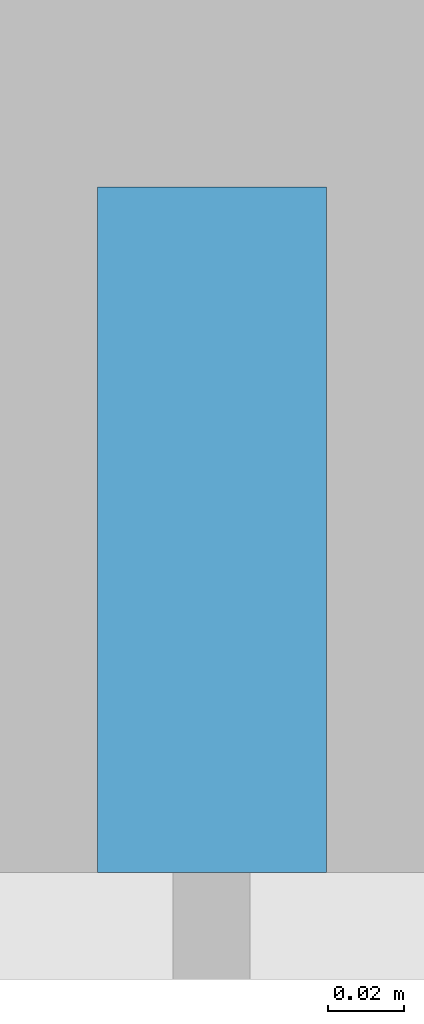
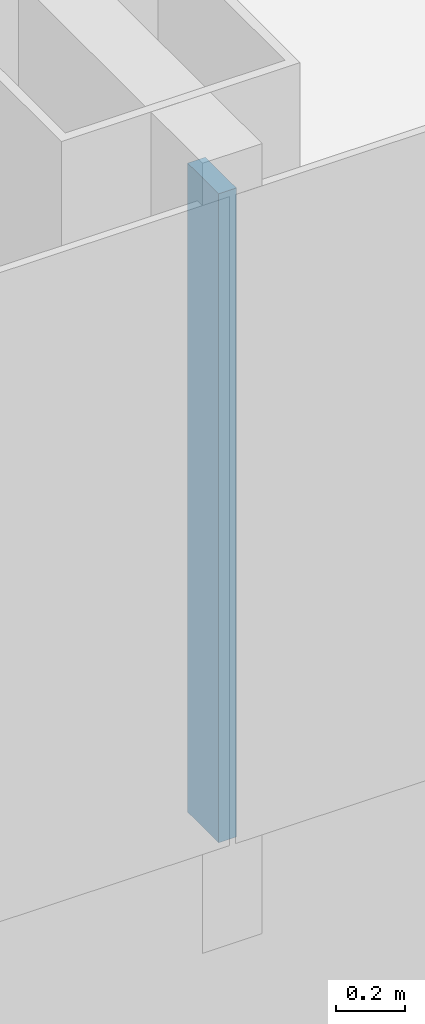
# One storey, part 4 of 29: 1 member, 1 element without a shape of its own.
"""IFC4 building model written with IfcOpenShell, lengths in metres."""

from ifc_helpers import new_model, si_unit, direction, frame, origin, origin_2d, place, context, subcontext, project, spatial, rectangle, extrude, material, layer, layer_set, material_profile, profile_set, type_object, element, aggregate, save


model = new_model("IFC4")

# Units and contexts
model_context = context("Model", 3, precision=1e-05, world=origin(), true_north=direction((0.0, 1.0)))
body_context = subcontext(model_context, "Body", "Model", "MODEL_VIEW")
ifc_project = project(units=[si_unit("LENGTHUNIT", "METRE"), si_unit("AREAUNIT", "SQUARE_METRE"), si_unit("VOLUMEUNIT", "CUBIC_METRE"), si_unit("PLANEANGLEUNIT", "RADIAN"), si_unit("MASSUNIT", "GRAM", prefix="KILO")], contexts=[model_context])

# Site, building, storey
site_placement = place(None, origin())
site = spatial("IfcSite", under=ifc_project, at=site_placement, CompositionType="ELEMENT")
building_placement = place(site_placement, origin())
building = spatial("IfcBuilding", under=site, at=building_placement, Name="Hakoniwa Tower and Hamabe Station Hall", CompositionType="ELEMENT")
storey_placement = place(building_placement, frame((0.0, 0.0, 88.199951171875)))
storey = spatial("IfcBuildingStorey", under=building, at=storey_placement, Name="L24", CompositionType="ELEMENT", Elevation=88.199951171875)

# Curtain wall, member
ifc_material_1 = material(Name="Dark low-e laminated glass", Category="glass")
ifc_layer = layer(ifc_material_1, 0.199951171875)
ifc_layer_set = layer_set([ifc_layer], Name="CW-1 UNITISED GUEST")
curtain_wall_type = type_object("IfcCurtainWallType", Name="CW-1 UNITISED GUEST", PredefinedType="NOTDEFINED", material=ifc_layer_set)
curtain_wall_placement = place(storey_placement, origin())
curtain_wall = element("IfcCurtainWall", 1, at=curtain_wall_placement, inside=storey, type_object=curtain_wall_type, Name="CW-1 curtain wall", PredefinedType="NOTDEFINED")
ifc_material_2 = material(Name="Aluminium 6063-T5 black anodised", Category="aluminium")
ifc_material_profile = material_profile(ifc_material_2, rectangle(XDim=0.06005859375, YDim=0.179931640625, at=origin_2d()), Name="CW-1 MULLION 60X180")
ifc_profile_set = profile_set([ifc_material_profile], Name="Aluminium 6063-T5 black anodised")
member_type = type_object("IfcMemberType", Name="CW-1 MULLION 60X180", PredefinedType="MULLION", material=ifc_profile_set)
member_placement = place(storey_placement, frame((-8.39990234375, -15.431884765625, 0.35009765625), z_axis=(0.0, 0.0, 1.0), x_axis=(1.0, 0.0, 0.0)))
member = element("IfcMember", 2, at=member_placement, type_object=member_type, Name="CW-1 mullion", PredefinedType="MULLION", context=body_context, shape_type="SweptSolid", body=[
    extrude(rectangle(XDim=0.06005859375, YDim=0.179931640625, at=origin_2d()), origin(), (0.0, 0.0, 1.0), 2.300048828125),
])
aggregate(curtain_wall, [member])

save(model, "model.ifc")
